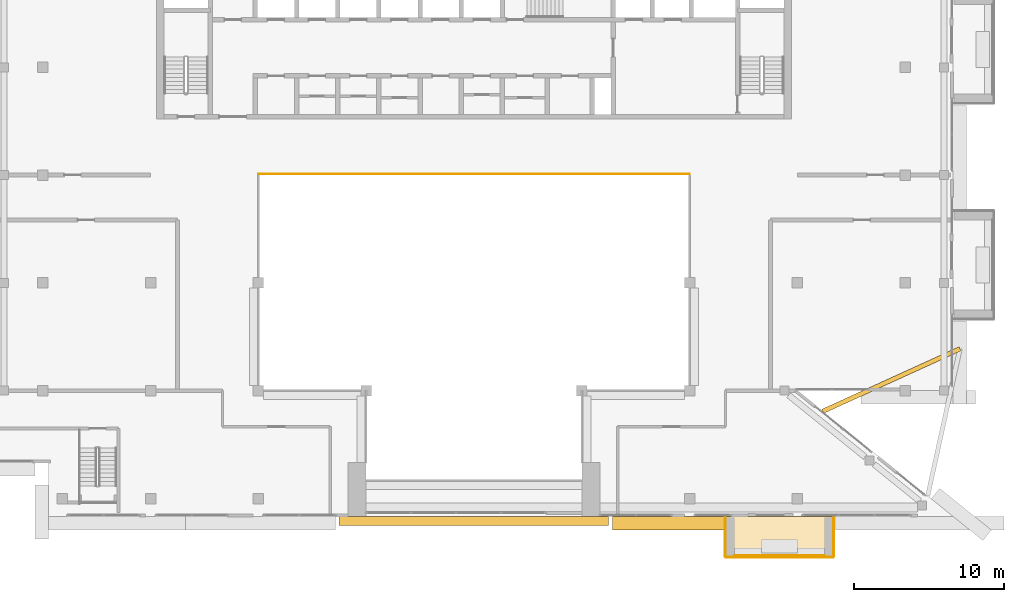
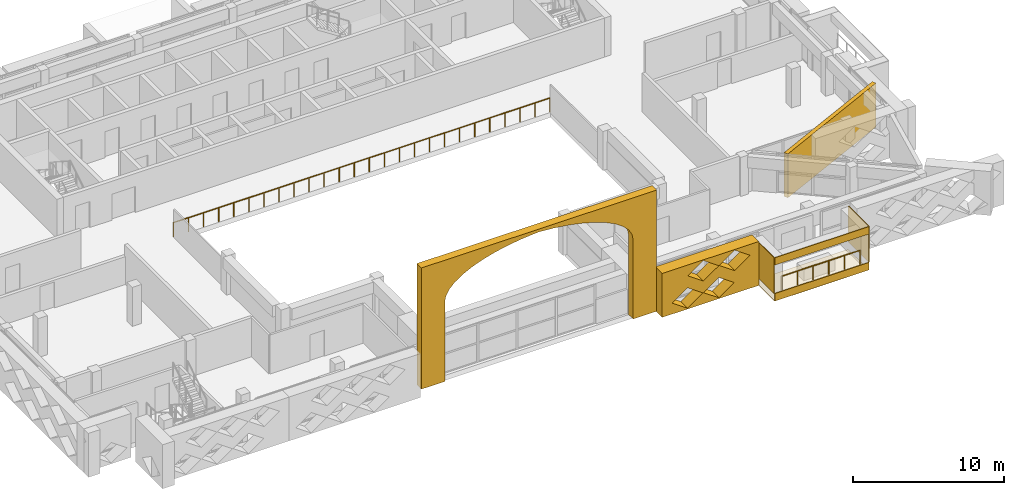
# One storey, part 18 of 22: 8 coverings, 2 railings.
"""IFC4 building model written with IfcOpenShell, lengths in metres."""

from ifc_helpers import new_model, si_unit, direction, frame, origin, origin_2d, place, context, subcontext, project, spatial, polyline, circle, outline, extrude, material, layer, layer_set, type_object, element, save


model = new_model("IFC4")

# Units and contexts
model_context = context("Model", 3, precision=1e-05, world=origin(), true_north=direction((0.0, 1.0)))
body_context = subcontext(model_context, "Body", "Model", "MODEL_VIEW")
ifc_project = project(units=[si_unit("LENGTHUNIT", "METRE"), si_unit("AREAUNIT", "SQUARE_METRE"), si_unit("VOLUMEUNIT", "CUBIC_METRE"), si_unit("PLANEANGLEUNIT", "RADIAN"), si_unit("MASSUNIT", "GRAM", prefix="KILO")], contexts=[model_context])

# Site, building, storey
site_placement = place(None, origin())
site = spatial("IfcSite", under=ifc_project, at=site_placement, CompositionType="ELEMENT")
building_placement = place(site_placement, origin())
building = spatial("IfcBuilding", under=site, at=building_placement, Name="Saffron Iwan Residences", CompositionType="ELEMENT")
storey_placement = place(building_placement, frame((0.0, 0.0, 271.0)))
storey = spatial("IfcBuildingStorey", under=building, at=storey_placement, Name="L73", CompositionType="ELEMENT", Elevation=271.0)

# Railings
ifc_material_1 = material(Name="Stainless steel 316", Category="steel")
railing_type_1 = type_object("IfcRailingType", Name="Atrium guard 1150", PredefinedType="GUARDRAIL", material=ifc_material_1)
railing_1_placement = place(storey_placement, frame((36.0, 62.47509765625, 0.0)))
element("IfcRailing", 1, at=railing_1_placement, inside=storey, type_object=railing_type_1, Name="Atrium guard L73", PredefinedType="GUARDRAIL", context=body_context, shape_type="SweptSolid", body=[
    extrude(circle(Radius=0.02392578125, at=origin_2d()), frame((0.0, 0.0, 1.1259765625), z_axis=(1.0, 0.0, 0.0), x_axis=(0.0, 1.0, 0.0)), (0.0, 0.0, 1.0), 28.800048828125),
    extrude(circle(Radius=0.02099609375, at=origin_2d()), origin(), (0.0, 0.0, 1.0), 1.101806640625),
    extrude(circle(Radius=0.02099609375, at=origin_2d()), frame((1.152099609375, 0.0, 0.0)), (0.0, 0.0, 1.0), 1.101806640625),
    extrude(circle(Radius=0.02099609375, at=origin_2d()), frame((2.303955078125, 0.0, 0.0)), (0.0, 0.0, 1.0), 1.101806640625),
    extrude(circle(Radius=0.02099609375, at=origin_2d()), frame((3.4560546875, 0.0, 0.0)), (0.0, 0.0, 1.0), 1.101806640625),
    extrude(circle(Radius=0.02099609375, at=origin_2d()), frame((4.60791015625, 0.0, 0.0)), (0.0, 0.0, 1.0), 1.101806640625),
    extrude(circle(Radius=0.02099609375, at=origin_2d()), frame((5.760009765625, 0.0, 0.0)), (0.0, 0.0, 1.0), 1.101806640625),
    extrude(circle(Radius=0.02099609375, at=origin_2d()), frame((6.912109375, 0.0, 0.0)), (0.0, 0.0, 1.0), 1.101806640625),
    extrude(circle(Radius=0.02099609375, at=origin_2d()), frame((8.06396484375, 0.0, 0.0)), (0.0, 0.0, 1.0), 1.101806640625),
    extrude(circle(Radius=0.02099609375, at=origin_2d()), frame((9.216064453125, 0.0, 0.0)), (0.0, 0.0, 1.0), 1.101806640625),
    extrude(circle(Radius=0.02099609375, at=origin_2d()), frame((10.367919921875, 0.0, 0.0)), (0.0, 0.0, 1.0), 1.101806640625),
    extrude(circle(Radius=0.02099609375, at=origin_2d()), frame((11.52001953125, 0.0, 0.0)), (0.0, 0.0, 1.0), 1.101806640625),
    extrude(circle(Radius=0.02099609375, at=origin_2d()), frame((12.672119140625, 0.0, 0.0)), (0.0, 0.0, 1.0), 1.101806640625),
    extrude(circle(Radius=0.02099609375, at=origin_2d()), frame((13.823974609375, 0.0, 0.0)), (0.0, 0.0, 1.0), 1.101806640625),
    extrude(circle(Radius=0.02099609375, at=origin_2d()), frame((14.97607421875, 0.0, 0.0)), (0.0, 0.0, 1.0), 1.101806640625),
    extrude(circle(Radius=0.02099609375, at=origin_2d()), frame((16.1279296875, 0.0, 0.0)), (0.0, 0.0, 1.0), 1.101806640625),
    extrude(circle(Radius=0.02099609375, at=origin_2d()), frame((17.280029296875, 0.0, 0.0)), (0.0, 0.0, 1.0), 1.101806640625),
    extrude(circle(Radius=0.02099609375, at=origin_2d()), frame((18.43212890625, 0.0, 0.0)), (0.0, 0.0, 1.0), 1.101806640625),
    extrude(circle(Radius=0.02099609375, at=origin_2d()), frame((19.583984375, 0.0, 0.0)), (0.0, 0.0, 1.0), 1.101806640625),
    extrude(circle(Radius=0.02099609375, at=origin_2d()), frame((20.736083984375, 0.0, 0.0)), (0.0, 0.0, 1.0), 1.101806640625),
    extrude(circle(Radius=0.02099609375, at=origin_2d()), frame((21.887939453125, 0.0, 0.0)), (0.0, 0.0, 1.0), 1.101806640625),
    extrude(circle(Radius=0.02099609375, at=origin_2d()), frame((23.0400390625, 0.0, 0.0)), (0.0, 0.0, 1.0), 1.101806640625),
    extrude(circle(Radius=0.02099609375, at=origin_2d()), frame((24.192138671875, 0.0, 0.0)), (0.0, 0.0, 1.0), 1.101806640625),
    extrude(circle(Radius=0.02099609375, at=origin_2d()), frame((25.343994140625, 0.0, 0.0)), (0.0, 0.0, 1.0), 1.101806640625),
    extrude(circle(Radius=0.02099609375, at=origin_2d()), frame((26.49609375, 0.0, 0.0)), (0.0, 0.0, 1.0), 1.101806640625),
    extrude(circle(Radius=0.02099609375, at=origin_2d()), frame((27.64794921875, 0.0, 0.0)), (0.0, 0.0, 1.0), 1.101806640625),
    extrude(circle(Radius=0.02099609375, at=origin_2d()), frame((28.800048828125, 0.0, 0.0)), (0.0, 0.0, 1.0), 1.101806640625),
])
railing_type_2 = type_object("IfcRailingType", Name="BALCONY GUARD 1150", PredefinedType="GUARDRAIL", material=ifc_material_1)
railing_2_placement = place(storey_placement, frame((67.800048828125, 36.97509765625, 0.0)))
element("IfcRailing", 2, at=railing_2_placement, inside=storey, type_object=railing_type_2, Name="Balcony guard L73 11-1", PredefinedType="GUARDRAIL", context=body_context, shape_type="SweptSolid", body=[
    extrude(circle(Radius=0.02392578125, at=origin_2d()), frame((0.0, 0.0, 1.1259765625), z_axis=(1.0, 0.0, 0.0), x_axis=(0.0, 1.0, 0.0)), (0.0, 0.0, 1.0), 6.0),
    extrude(circle(Radius=0.02099609375, at=origin_2d()), origin(), (0.0, 0.0, 1.0), 1.101806640625),
    extrude(circle(Radius=0.02099609375, at=origin_2d()), frame((1.199951171875, 0.0, 0.0)), (0.0, 0.0, 1.0), 1.101806640625),
    extrude(circle(Radius=0.02099609375, at=origin_2d()), frame((2.39990234375, 0.0, 0.0)), (0.0, 0.0, 1.0), 1.101806640625),
    extrude(circle(Radius=0.02099609375, at=origin_2d()), frame((3.60009765625, 0.0, 0.0)), (0.0, 0.0, 1.0), 1.101806640625),
    extrude(circle(Radius=0.02099609375, at=origin_2d()), frame((4.800048828125, 0.0, 0.0)), (0.0, 0.0, 1.0), 1.101806640625),
    extrude(circle(Radius=0.02099609375, at=origin_2d()), frame((6.0, 0.0, 0.0)), (0.0, 0.0, 1.0), 1.101806640625),
])

# Coverings
ifc_material_2 = material(Name="Precast concrete C40/50 white painted", Category="concrete")
ifc_layer_1 = layer(ifc_material_2, 0.050048828125)
ifc_layer_set_1 = layer_set([ifc_layer_1], Name="Precast concrete C40/50 white painted")
covering_type_1 = type_object("IfcCoveringType", Name="FRAME SKIN PRECAST WHITE 50", PredefinedType="CLADDING", material=ifc_layer_set_1)
covering_1_placement = place(storey_placement, frame((0.0, 0.0, -0.60009765625)))
element("IfcCovering", 3, at=covering_1_placement, inside=storey, type_object=covering_type_1, Name="Frame skin slab edge L73 11-1", PredefinedType="CLADDING", context=body_context, shape_type="SweptSolid", body=[
    extrude(outline(polyline([(67.199951171875, 36.85009765625), (74.39990234375, 36.85009765625), (74.39990234375, 36.89990234375), (67.199951171875, 36.89990234375), (67.199951171875, 36.85009765625)])), origin(), (0.0, 0.0, 1.0), 0.60009765625),
])
covering_2_placement = place(storey_placement, frame((0.0, 0.0, 2.301025390625)))
element("IfcCovering", 4, at=covering_2_placement, inside=storey, type_object=covering_type_1, Name="Frame skin fascia L73 11-1", PredefinedType="CLADDING", context=body_context, shape_type="SweptSolid", body=[
    extrude(outline(polyline([(67.199951171875, 36.85009765625), (74.39990234375, 36.85009765625), (74.39990234375, 36.89990234375), (67.199951171875, 36.89990234375), (67.199951171875, 36.85009765625)])), origin(), (0.0, 0.0, 1.0), 0.599853515625),
])
covering_3_placement = place(storey_placement, frame((0.0, 0.0, -0.64990234375)))
element("IfcCovering", 5, at=covering_3_placement, inside=storey, type_object=covering_type_1, Name="Frame skin soffit L73 11-1", PredefinedType="CLADDING", context=body_context, shape_type="SweptSolid", body=[
    extrude(outline(polyline([(67.199951171875, 36.89990234375), (74.39990234375, 36.89990234375), (74.39990234375, 39.60009765625), (67.199951171875, 39.60009765625), (67.199951171875, 36.89990234375)])), origin(), (0.0, 0.0, 1.0), 0.0498046875),
])
covering_4_placement = place(storey_placement, origin())
element("IfcCovering", 6, at=covering_4_placement, inside=storey, type_object=covering_type_1, Name="Frame skin fin L73 11-1a", PredefinedType="CLADDING", context=body_context, shape_type="SweptSolid", body=[
    extrude(outline(polyline([(67.14990234375, 36.89990234375), (67.199951171875, 36.89990234375), (67.199951171875, 39.60009765625), (67.14990234375, 39.60009765625), (67.14990234375, 36.89990234375)])), origin(), (0.0, 0.0, 1.0), 2.90087890625),
])
covering_5_placement = place(storey_placement, origin())
element("IfcCovering", 7, at=covering_5_placement, inside=storey, type_object=covering_type_1, Name="Frame skin fin L73 11-1b", PredefinedType="CLADDING", context=body_context, shape_type="SweptSolid", body=[
    extrude(outline(polyline([(74.39990234375, 36.89990234375), (74.449951171875, 36.89990234375), (74.449951171875, 39.60009765625), (74.39990234375, 39.60009765625), (74.39990234375, 36.89990234375)])), origin(), (0.0, 0.0, 1.0), 2.90087890625),
])
ifc_material_3 = material(Name="Precast concrete C40/50", Category="concrete")
covering_type_2 = type_object("IfcCoveringType", Name="OUTER SKIN LATTICE SCREEN", PredefinedType="CLADDING", material=ifc_material_3)
covering_6_placement = place(storey_placement, frame((59.64990234375, 39.60009765625, -0.40087890625), z_axis=(0.0, -1.0, 0.0), x_axis=(1.0, 0.0, 0.0)))
element("IfcCovering", 8, at=covering_6_placement, inside=storey, type_object=covering_type_2, Name="OUTER SKIN lattice screen L73 F11.2", PredefinedType="CLADDING", context=body_context, shape_type="SweptSolid", body=[
    extrude(outline(polyline([(0.0, 0.0), (7.39990234375, 0.0), (7.39990234375, 3.551025390625), (0.0, 3.551025390625), (0.0, 0.0)]), holes=[polyline([(0.77001953125, 0.8876953125), (1.949951171875, 0.06005859375), (3.1298828125, 0.8876953125), (1.949951171875, 1.715576171875), (0.77001953125, 0.8876953125)]), polyline([(3.169921875, 0.8876953125), (4.35009765625, 0.06005859375), (5.530029296875, 0.8876953125), (4.35009765625, 1.715576171875), (3.169921875, 0.8876953125)]), polyline([(1.969970703125, 2.663330078125), (3.14990234375, 1.83544921875), (4.330078125, 2.663330078125), (3.14990234375, 3.490966796875), (1.969970703125, 2.663330078125)]), polyline([(4.3701171875, 2.663330078125), (5.550048828125, 1.83544921875), (6.72998046875, 2.663330078125), (5.550048828125, 3.490966796875), (4.3701171875, 2.663330078125)])]), origin(), (0.0, 0.0, 1.0), 0.900146484375),
])
ifc_layer_2 = layer(ifc_material_2, 0.300048828125)
ifc_layer_set_2 = layer_set([ifc_layer_2], Name="Precast concrete C40/50 white painted")
covering_type_3 = type_object("IfcCoveringType", Name="PROW NOSE BLADE PRECAST WHITE", PredefinedType="CLADDING", material=ifc_layer_set_2)
covering_7_placement = place(storey_placement, frame((0.0, 0.0, -0.40087890625)))
element("IfcCovering", 9, at=covering_7_placement, inside=storey, type_object=covering_type_3, Name="Prow nose blade L73 b", PredefinedType="CLADDING", context=body_context, shape_type="SweptSolid", body=[
    extrude(outline(polyline([(73.761474609375, 46.490966796875), (82.917236328125, 50.6650390625), (82.792724609375, 50.93798828125), (73.636962890625, 46.763916015625), (73.761474609375, 46.490966796875)])), origin(), (0.0, 0.0, 1.0), 3.55078125),
])
ifc_material_4 = material(Name="Terracotta screen, precast concrete C40/50", Category="masonry")
ifc_layer_3 = layer(ifc_material_4, 0.60009765625)
ifc_layer_set_3 = layer_set([ifc_layer_3], Name="Terracotta screen, precast concrete C40/50")
covering_type_4 = type_object("IfcCoveringType", Name="Portal arch, precast concrete (tower)", PredefinedType="CLADDING", material=ifc_layer_set_3)
covering_8_placement = place(storey_placement, frame((41.39990234375, 39.60009765625, 0.0), z_axis=(0.0, 1.0, 0.0), x_axis=(0.0, 0.0, 1.0)))
element("IfcCovering", 10, at=covering_8_placement, inside=storey, type_object=covering_type_4, Name="PORTAL ARCH L73-L74", PredefinedType="CLADDING", context=body_context, shape_type="SweptSolid", body=[
    extrude(outline(polyline([(0.0, 0.0), (9.800048828125, 0.0), (9.800048828125, 18.0), (0.0, 18.0), (0.0, 16.2001953125), (6.431396484375, 16.2001953125), (6.885986328125, 16.114013671875), (7.331298828125, 15.859130859375), (7.7578125, 15.439208984375), (8.156494140625, 14.864013671875), (8.52001953125, 14.14501953125), (8.83984375, 13.297119140625), (9.10986328125, 12.337158203125), (9.324462890625, 11.287109375), (9.478759765625, 10.1669921875), (9.5703125, 9.0), (9.478759765625, 7.8330078125), (9.324462890625, 6.713134765625), (9.10986328125, 5.6630859375), (8.83984375, 4.703125), (8.52001953125, 3.85498046875), (8.156494140625, 3.135986328125), (7.7578125, 2.56103515625), (7.331298828125, 2.14111328125), (6.885986328125, 1.885986328125), (6.431396484375, 1.800048828125), (0.0, 1.800048828125), (0.0, 0.0)])), origin(), (0.0, 0.0, -1.0), 0.60009765625),
])

save(model, "model.ifc")
